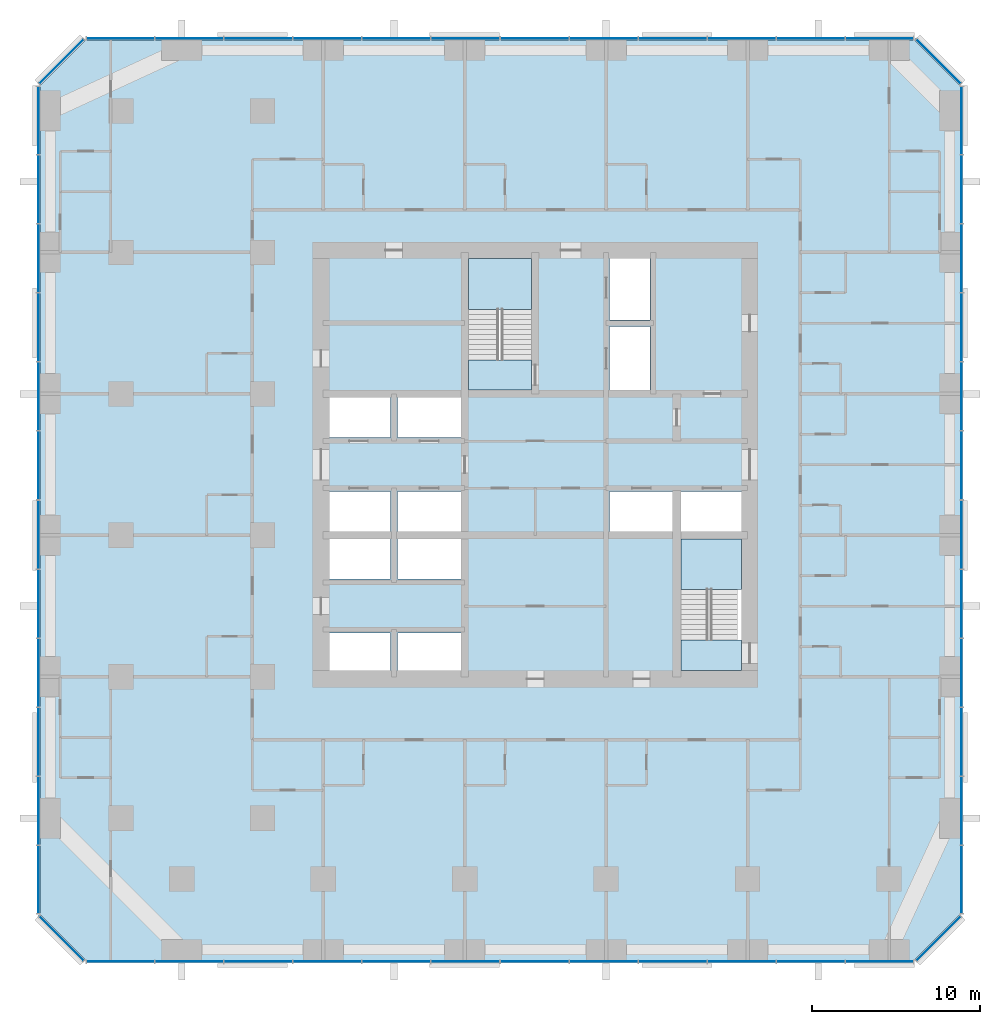
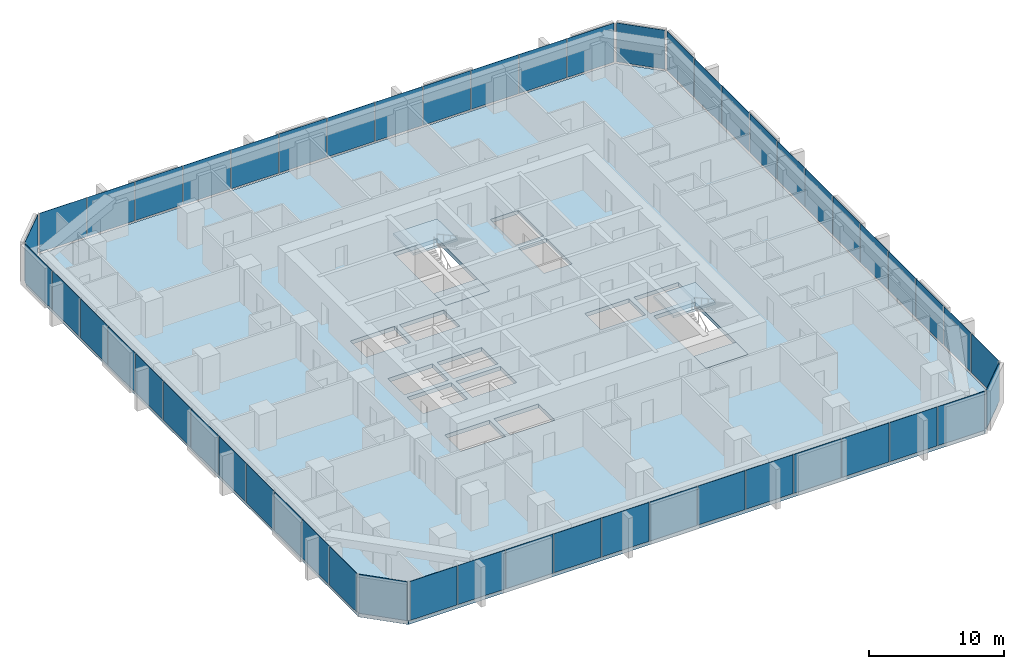
# One storey, part 7 of 13: 52 plates, 5 slabs, 10 elements without a shape of their own.
"""IFC4 building model written with IfcOpenShell, lengths in metres."""

from ifc_helpers import new_model, si_unit, direction, frame, origin, origin_2d, place, context, subcontext, project, spatial, polyline, rectangle, outline, extrude, material, layer, layer_set, type_object, element, aggregate, save


model = new_model("IFC4")

# Units and contexts
model_context = context("Model", 3, precision=1e-05, world=origin(), true_north=direction((0.0, 1.0)))
body_context = subcontext(model_context, "Body", "Model", "MODEL_VIEW")
ifc_project = project(units=[si_unit("LENGTHUNIT", "METRE"), si_unit("AREAUNIT", "SQUARE_METRE"), si_unit("VOLUMEUNIT", "CUBIC_METRE"), si_unit("PLANEANGLEUNIT", "RADIAN"), si_unit("MASSUNIT", "GRAM", prefix="KILO")], contexts=[model_context])

# Site, building, storey
site_placement = place(None, origin())
site = spatial("IfcSite", under=ifc_project, at=site_placement, CompositionType="ELEMENT")
building_placement = place(site_placement, origin())
building = spatial("IfcBuilding", under=site, at=building_placement, Name="Dunama Terrace Hotel", CompositionType="ELEMENT")
storey_placement = place(building_placement, frame((0.0, 0.0, 118.800048828125)))
storey = spatial("IfcBuildingStorey", under=building, at=storey_placement, Name="L30", CompositionType="ELEMENT", Elevation=118.800048828125)

# Curtain wall, plates
ifc_material_1 = material(Name="Aluminium curtain wall system", Category="aluminium")
curtain_wall_type = type_object("IfcCurtainWallType", Name="Unitised fritted glass wall CW-B", PredefinedType="NOTDEFINED", material=ifc_material_1)
curtain_wall_1_placement = place(storey_placement, origin())
curtain_wall_1 = element("IfcCurtainWall", 1, at=curtain_wall_1_placement, inside=storey, type_object=curtain_wall_type, Name="Unitised fritted glass wall CW-B L30", PredefinedType="NOTDEFINED")
ifc_material_2 = material(Name="Laminated glass", Category="glass")
ifc_layer_1 = layer(ifc_material_2, 0.030029296875)
ifc_layer_set_1 = layer_set([ifc_layer_1], Name="CWB clear glass panel")
plate_type_1 = type_object("IfcPlateType", Name="CWB clear glass panel", PredefinedType="CURTAIN_PANEL", material=ifc_layer_set_1)
plate_1_placement = place(storey_placement, frame((4.76611328125, -0.110107421875, 0.079833984375), z_axis=(0.0, 0.0, 1.0), x_axis=(1.0, 0.0, 0.0)))
plate_1 = element("IfcPlate", 2, at=plate_1_placement, type_object=plate_type_1, Name="CWB clear glass panel", PredefinedType="CURTAIN_PANEL", context=body_context, shape_type="SweptSolid", body=[
    extrude(rectangle(XDim=4.00244140625, YDim=0.030029296875, at=origin_2d()), origin(), (0.0, 0.0, 1.0), 3.52001953125),
])
plate_2_placement = place(storey_placement, frame((17.050048828125, -0.110107421875, 0.079833984375), z_axis=(0.0, 0.0, 1.0), x_axis=(1.0, 0.0, 0.0)))
plate_2 = element("IfcPlate", 3, at=plate_2_placement, type_object=plate_type_1, Name="CWB clear glass panel", PredefinedType="CURTAIN_PANEL", context=body_context, shape_type="SweptSolid", body=[
    extrude(rectangle(XDim=4.034912109375, YDim=0.030029296875, at=origin_2d()), origin(), (0.0, 0.0, 1.0), 3.52001953125),
])
plate_3_placement = place(storey_placement, frame((29.35009765625, -0.110107421875, 0.079833984375), z_axis=(0.0, 0.0, 1.0), x_axis=(1.0, 0.0, 0.0)))
plate_3 = element("IfcPlate", 4, at=plate_3_placement, type_object=plate_type_1, Name="CWB clear glass panel", PredefinedType="CURTAIN_PANEL", context=body_context, shape_type="SweptSolid", body=[
    extrude(rectangle(XDim=4.034912109375, YDim=0.030029296875, at=origin_2d()), origin(), (0.0, 0.0, 1.0), 3.52001953125),
])
plate_4_placement = place(storey_placement, frame((41.64990234375, -0.110107421875, 0.079833984375), z_axis=(0.0, 0.0, 1.0), x_axis=(1.0, 0.0, 0.0)))
plate_4 = element("IfcPlate", 5, at=plate_4_placement, type_object=plate_type_1, Name="CWB clear glass panel", PredefinedType="CURTAIN_PANEL", context=body_context, shape_type="SweptSolid", body=[
    extrude(rectangle(XDim=4.034912109375, YDim=0.030029296875, at=origin_2d()), origin(), (0.0, 0.0, 1.0), 3.52001953125),
])

# Curtain wall, plate
curtain_wall_2_placement = place(storey_placement, origin())
curtain_wall_2 = element("IfcCurtainWall", 6, at=curtain_wall_2_placement, inside=storey, type_object=curtain_wall_type, Name="Unitised fritted glass wall CW-B L30", PredefinedType="NOTDEFINED")
plate_5_placement = place(storey_placement, frame((53.327880859375, 1.27197265625, 0.079833984375), z_axis=(0.0, 0.0, 1.0), x_axis=(0.707106781187, 0.707106781187, 0.0)))
plate_5 = element("IfcPlate", 7, at=plate_5_placement, type_object=plate_type_1, Name="CWB clear glass panel", PredefinedType="CURTAIN_PANEL", context=body_context, shape_type="SweptSolid", body=[
    extrude(rectangle(XDim=3.6884765625, YDim=0.030029296875, at=origin_2d()), origin(), (0.0, 0.0, 1.0), 3.52001953125),
])
aggregate(curtain_wall_2, [plate_5])

# Curtain wall, plates
curtain_wall_3_placement = place(storey_placement, origin())
curtain_wall_3 = element("IfcCurtainWall", 8, at=curtain_wall_3_placement, inside=storey, type_object=curtain_wall_type, Name="Unitised fritted glass wall CW-B L30", PredefinedType="NOTDEFINED")
plate_6_placement = place(storey_placement, frame((54.7099609375, 12.949951171875, 0.079833984375), z_axis=(0.0, 0.0, 1.0), x_axis=(0.0, 1.0, 0.0)))
plate_6 = element("IfcPlate", 9, at=plate_6_placement, type_object=plate_type_1, Name="CWB clear glass panel", PredefinedType="CURTAIN_PANEL", context=body_context, shape_type="SweptSolid", body=[
    extrude(rectangle(XDim=4.034912109375, YDim=0.030029296875, at=origin_2d()), origin(), (0.0, 0.0, 1.0), 3.52001953125),
])
plate_7_placement = place(storey_placement, frame((54.7099609375, 25.25, 0.079833984375), z_axis=(0.0, 0.0, 1.0), x_axis=(0.0, 1.0, 0.0)))
plate_7 = element("IfcPlate", 10, at=plate_7_placement, type_object=plate_type_1, Name="CWB clear glass panel", PredefinedType="CURTAIN_PANEL", context=body_context, shape_type="SweptSolid", body=[
    extrude(rectangle(XDim=4.034912109375, YDim=0.030029296875, at=origin_2d()), origin(), (0.0, 0.0, 1.0), 3.52001953125),
])
plate_8_placement = place(storey_placement, frame((54.7099609375, 37.550048828125, 0.079833984375), z_axis=(0.0, 0.0, 1.0), x_axis=(0.0, 1.0, 0.0)))
plate_8 = element("IfcPlate", 11, at=plate_8_placement, type_object=plate_type_1, Name="CWB clear glass panel", PredefinedType="CURTAIN_PANEL", context=body_context, shape_type="SweptSolid", body=[
    extrude(rectangle(XDim=4.034912109375, YDim=0.030029296875, at=origin_2d()), origin(), (0.0, 0.0, 1.0), 3.52001953125),
])
plate_9_placement = place(storey_placement, frame((54.7099609375, 49.833984375, 0.079833984375), z_axis=(0.0, 0.0, 1.0), x_axis=(0.0, 1.0, 0.0)))
plate_9 = element("IfcPlate", 12, at=plate_9_placement, type_object=plate_type_1, Name="CWB clear glass panel", PredefinedType="CURTAIN_PANEL", context=body_context, shape_type="SweptSolid", body=[
    extrude(rectangle(XDim=4.00244140625, YDim=0.030029296875, at=origin_2d()), origin(), (0.0, 0.0, 1.0), 3.52001953125),
])

curtain_wall_4_placement = place(storey_placement, origin())
curtain_wall_4 = element("IfcCurtainWall", 13, at=curtain_wall_4_placement, inside=storey, type_object=curtain_wall_type, Name="Unitised fritted glass wall CW-B L30", PredefinedType="NOTDEFINED")
plate_10_placement = place(storey_placement, frame((45.75, 54.7099609375, 0.079833984375), z_axis=(0.0, 0.0, 1.0), x_axis=(-1.0, 0.0, 0.0)))
plate_10 = element("IfcPlate", 14, at=plate_10_placement, type_object=plate_type_1, Name="CWB clear glass panel", PredefinedType="CURTAIN_PANEL", context=body_context, shape_type="SweptSolid", body=[
    extrude(rectangle(XDim=4.034912109375, YDim=0.030029296875, at=origin_2d()), origin(), (0.0, 0.0, 1.0), 3.52001953125),
])
plate_11_placement = place(storey_placement, frame((33.449951171875, 54.7099609375, 0.079833984375), z_axis=(0.0, 0.0, 1.0), x_axis=(-1.0, 0.0, 0.0)))
plate_11 = element("IfcPlate", 15, at=plate_11_placement, type_object=plate_type_1, Name="CWB clear glass panel", PredefinedType="CURTAIN_PANEL", context=body_context, shape_type="SweptSolid", body=[
    extrude(rectangle(XDim=4.034912109375, YDim=0.030029296875, at=origin_2d()), origin(), (0.0, 0.0, 1.0), 3.52001953125),
])
plate_12_placement = place(storey_placement, frame((21.14990234375, 54.7099609375, 0.079833984375), z_axis=(0.0, 0.0, 1.0), x_axis=(-1.0, 0.0, 0.0)))
plate_12 = element("IfcPlate", 16, at=plate_12_placement, type_object=plate_type_1, Name="CWB clear glass panel", PredefinedType="CURTAIN_PANEL", context=body_context, shape_type="SweptSolid", body=[
    extrude(rectangle(XDim=4.034912109375, YDim=0.030029296875, at=origin_2d()), origin(), (0.0, 0.0, 1.0), 3.52001953125),
])
plate_13_placement = place(storey_placement, frame((8.85009765625, 54.7099609375, 0.079833984375), z_axis=(0.0, 0.0, 1.0), x_axis=(-1.0, 0.0, 0.0)))
plate_13 = element("IfcPlate", 17, at=plate_13_placement, type_object=plate_type_1, Name="CWB clear glass panel", PredefinedType="CURTAIN_PANEL", context=body_context, shape_type="SweptSolid", body=[
    extrude(rectangle(XDim=4.034912109375, YDim=0.030029296875, at=origin_2d()), origin(), (0.0, 0.0, 1.0), 3.52001953125),
])

curtain_wall_5_placement = place(storey_placement, origin())
curtain_wall_5 = element("IfcCurtainWall", 18, at=curtain_wall_5_placement, inside=storey, type_object=curtain_wall_type, Name="Unitised fritted glass wall CW-B L30", PredefinedType="NOTDEFINED")
plate_14_placement = place(storey_placement, frame((-0.110107421875, 49.833984375, 0.079833984375), z_axis=(0.0, 0.0, 1.0), x_axis=(0.0, -1.0, 0.0)))
plate_14 = element("IfcPlate", 19, at=plate_14_placement, type_object=plate_type_1, Name="CWB clear glass panel", PredefinedType="CURTAIN_PANEL", context=body_context, shape_type="SweptSolid", body=[
    extrude(rectangle(XDim=4.00244140625, YDim=0.030029296875, at=origin_2d()), origin(), (0.0, 0.0, 1.0), 3.52001953125),
])
plate_15_placement = place(storey_placement, frame((-0.110107421875, 37.550048828125, 0.079833984375), z_axis=(0.0, 0.0, 1.0), x_axis=(0.0, -1.0, 0.0)))
plate_15 = element("IfcPlate", 20, at=plate_15_placement, type_object=plate_type_1, Name="CWB clear glass panel", PredefinedType="CURTAIN_PANEL", context=body_context, shape_type="SweptSolid", body=[
    extrude(rectangle(XDim=4.034912109375, YDim=0.030029296875, at=origin_2d()), origin(), (0.0, 0.0, 1.0), 3.52001953125),
])
plate_16_placement = place(storey_placement, frame((-0.110107421875, 25.25, 0.079833984375), z_axis=(0.0, 0.0, 1.0), x_axis=(0.0, -1.0, 0.0)))
plate_16 = element("IfcPlate", 21, at=plate_16_placement, type_object=plate_type_1, Name="CWB clear glass panel", PredefinedType="CURTAIN_PANEL", context=body_context, shape_type="SweptSolid", body=[
    extrude(rectangle(XDim=4.034912109375, YDim=0.030029296875, at=origin_2d()), origin(), (0.0, 0.0, 1.0), 3.52001953125),
])
plate_17_placement = place(storey_placement, frame((-0.110107421875, 12.949951171875, 0.079833984375), z_axis=(0.0, 0.0, 1.0), x_axis=(0.0, -1.0, 0.0)))
plate_17 = element("IfcPlate", 22, at=plate_17_placement, type_object=plate_type_1, Name="CWB clear glass panel", PredefinedType="CURTAIN_PANEL", context=body_context, shape_type="SweptSolid", body=[
    extrude(rectangle(XDim=4.034912109375, YDim=0.030029296875, at=origin_2d()), origin(), (0.0, 0.0, 1.0), 3.52001953125),
])

# Curtain wall, plate
curtain_wall_6_placement = place(storey_placement, origin())
curtain_wall_6 = element("IfcCurtainWall", 23, at=curtain_wall_6_placement, inside=storey, type_object=curtain_wall_type, Name="Unitised fritted glass wall CW-B L30", PredefinedType="NOTDEFINED")
plate_18_placement = place(storey_placement, frame((1.27197265625, 1.27197265625, 0.079833984375), z_axis=(0.0, 0.0, 1.0), x_axis=(0.707106781187, -0.707106781187, 0.0)))
plate_18 = element("IfcPlate", 24, at=plate_18_placement, type_object=plate_type_1, Name="CWB clear glass panel", PredefinedType="CURTAIN_PANEL", context=body_context, shape_type="SweptSolid", body=[
    extrude(rectangle(XDim=3.6884765625, YDim=0.030029296875, at=origin_2d()), origin(), (0.0, 0.0, 1.0), 3.52001953125),
])
aggregate(curtain_wall_6, [plate_18])

# Plate
ifc_material_3 = material(Name="Fritted laminated glass", Category="glass")
ifc_layer_2 = layer(ifc_material_3, 0.030029296875)
ifc_layer_set_2 = layer_set([ifc_layer_2], Name="CWB fritted glass panel")
plate_type_2 = type_object("IfcPlateType", Name="CWB fritted glass panel", PredefinedType="CURTAIN_PANEL", material=ifc_layer_set_2)
plate_19_placement = place(storey_placement, frame((12.949951171875, -0.110107421875, 0.079833984375), z_axis=(0.0, 0.0, 1.0), x_axis=(1.0, 0.0, 0.0)))
plate_19 = element("IfcPlate", 25, at=plate_19_placement, type_object=plate_type_2, Name="CWB fritted glass panel", PredefinedType="CURTAIN_PANEL", context=body_context, shape_type="SweptSolid", body=[
    extrude(rectangle(XDim=4.034912109375, YDim=0.030029296875, at=origin_2d()), origin(), (0.0, 0.0, 1.0), 3.52001953125),
])

plate_20_placement = place(storey_placement, frame((25.25, -0.110107421875, 0.079833984375), z_axis=(0.0, 0.0, 1.0), x_axis=(1.0, 0.0, 0.0)))
plate_20 = element("IfcPlate", 26, at=plate_20_placement, type_object=plate_type_2, Name="CWB fritted glass panel", PredefinedType="CURTAIN_PANEL", context=body_context, shape_type="SweptSolid", body=[
    extrude(rectangle(XDim=4.034912109375, YDim=0.030029296875, at=origin_2d()), origin(), (0.0, 0.0, 1.0), 3.52001953125),
])

plate_21_placement = place(storey_placement, frame((37.550048828125, -0.110107421875, 0.079833984375), z_axis=(0.0, 0.0, 1.0), x_axis=(1.0, 0.0, 0.0)))
plate_21 = element("IfcPlate", 27, at=plate_21_placement, type_object=plate_type_2, Name="CWB fritted glass panel", PredefinedType="CURTAIN_PANEL", context=body_context, shape_type="SweptSolid", body=[
    extrude(rectangle(XDim=4.034912109375, YDim=0.030029296875, at=origin_2d()), origin(), (0.0, 0.0, 1.0), 3.52001953125),
])

plate_22_placement = place(storey_placement, frame((49.833984375, -0.110107421875, 0.079833984375), z_axis=(0.0, 0.0, 1.0), x_axis=(1.0, 0.0, 0.0)))
plate_22 = element("IfcPlate", 28, at=plate_22_placement, type_object=plate_type_2, Name="CWB fritted glass panel", PredefinedType="CURTAIN_PANEL", context=body_context, shape_type="SweptSolid", body=[
    extrude(rectangle(XDim=4.00244140625, YDim=0.030029296875, at=origin_2d()), origin(), (0.0, 0.0, 1.0), 3.52001953125),
])

plate_23_placement = place(storey_placement, frame((54.7099609375, 8.85009765625, 0.079833984375), z_axis=(0.0, 0.0, 1.0), x_axis=(0.0, 1.0, 0.0)))
plate_23 = element("IfcPlate", 29, at=plate_23_placement, type_object=plate_type_2, Name="CWB fritted glass panel", PredefinedType="CURTAIN_PANEL", context=body_context, shape_type="SweptSolid", body=[
    extrude(rectangle(XDim=4.034912109375, YDim=0.030029296875, at=origin_2d()), origin(), (0.0, 0.0, 1.0), 3.52001953125),
])

plate_24_placement = place(storey_placement, frame((54.7099609375, 21.14990234375, 0.079833984375), z_axis=(0.0, 0.0, 1.0), x_axis=(0.0, 1.0, 0.0)))
plate_24 = element("IfcPlate", 30, at=plate_24_placement, type_object=plate_type_2, Name="CWB fritted glass panel", PredefinedType="CURTAIN_PANEL", context=body_context, shape_type="SweptSolid", body=[
    extrude(rectangle(XDim=4.034912109375, YDim=0.030029296875, at=origin_2d()), origin(), (0.0, 0.0, 1.0), 3.52001953125),
])

plate_25_placement = place(storey_placement, frame((54.7099609375, 33.449951171875, 0.079833984375), z_axis=(0.0, 0.0, 1.0), x_axis=(0.0, 1.0, 0.0)))
plate_25 = element("IfcPlate", 31, at=plate_25_placement, type_object=plate_type_2, Name="CWB fritted glass panel", PredefinedType="CURTAIN_PANEL", context=body_context, shape_type="SweptSolid", body=[
    extrude(rectangle(XDim=4.034912109375, YDim=0.030029296875, at=origin_2d()), origin(), (0.0, 0.0, 1.0), 3.52001953125),
])

plate_26_placement = place(storey_placement, frame((54.7099609375, 45.75, 0.079833984375), z_axis=(0.0, 0.0, 1.0), x_axis=(0.0, 1.0, 0.0)))
plate_26 = element("IfcPlate", 32, at=plate_26_placement, type_object=plate_type_2, Name="CWB fritted glass panel", PredefinedType="CURTAIN_PANEL", context=body_context, shape_type="SweptSolid", body=[
    extrude(rectangle(XDim=4.034912109375, YDim=0.030029296875, at=origin_2d()), origin(), (0.0, 0.0, 1.0), 3.52001953125),
])

plate_27_placement = place(storey_placement, frame((49.833984375, 54.7099609375, 0.079833984375), z_axis=(0.0, 0.0, 1.0), x_axis=(-1.0, 0.0, 0.0)))
plate_27 = element("IfcPlate", 33, at=plate_27_placement, type_object=plate_type_2, Name="CWB fritted glass panel", PredefinedType="CURTAIN_PANEL", context=body_context, shape_type="SweptSolid", body=[
    extrude(rectangle(XDim=4.00244140625, YDim=0.030029296875, at=origin_2d()), origin(), (0.0, 0.0, 1.0), 3.52001953125),
])

plate_28_placement = place(storey_placement, frame((37.550048828125, 54.7099609375, 0.079833984375), z_axis=(0.0, 0.0, 1.0), x_axis=(-1.0, 0.0, 0.0)))
plate_28 = element("IfcPlate", 34, at=plate_28_placement, type_object=plate_type_2, Name="CWB fritted glass panel", PredefinedType="CURTAIN_PANEL", context=body_context, shape_type="SweptSolid", body=[
    extrude(rectangle(XDim=4.034912109375, YDim=0.030029296875, at=origin_2d()), origin(), (0.0, 0.0, 1.0), 3.52001953125),
])

plate_29_placement = place(storey_placement, frame((25.25, 54.7099609375, 0.079833984375), z_axis=(0.0, 0.0, 1.0), x_axis=(-1.0, 0.0, 0.0)))
plate_29 = element("IfcPlate", 35, at=plate_29_placement, type_object=plate_type_2, Name="CWB fritted glass panel", PredefinedType="CURTAIN_PANEL", context=body_context, shape_type="SweptSolid", body=[
    extrude(rectangle(XDim=4.034912109375, YDim=0.030029296875, at=origin_2d()), origin(), (0.0, 0.0, 1.0), 3.52001953125),
])

plate_30_placement = place(storey_placement, frame((12.949951171875, 54.7099609375, 0.079833984375), z_axis=(0.0, 0.0, 1.0), x_axis=(-1.0, 0.0, 0.0)))
plate_30 = element("IfcPlate", 36, at=plate_30_placement, type_object=plate_type_2, Name="CWB fritted glass panel", PredefinedType="CURTAIN_PANEL", context=body_context, shape_type="SweptSolid", body=[
    extrude(rectangle(XDim=4.034912109375, YDim=0.030029296875, at=origin_2d()), origin(), (0.0, 0.0, 1.0), 3.52001953125),
])

# Curtain wall, plate
curtain_wall_7_placement = place(storey_placement, origin())
curtain_wall_7 = element("IfcCurtainWall", 37, at=curtain_wall_7_placement, inside=storey, type_object=curtain_wall_type, Name="Unitised fritted glass wall CW-B L30", PredefinedType="NOTDEFINED")
plate_31_placement = place(storey_placement, frame((1.27197265625, 53.327880859375, 0.079833984375), z_axis=(0.0, 0.0, 1.0), x_axis=(-0.707106781187, -0.707106781187, 0.0)))
plate_31 = element("IfcPlate", 38, at=plate_31_placement, type_object=plate_type_2, Name="CWB fritted glass panel", PredefinedType="CURTAIN_PANEL", context=body_context, shape_type="SweptSolid", body=[
    extrude(rectangle(XDim=3.6884765625, YDim=0.030029296875, at=origin_2d()), origin(), (0.0, 0.0, 1.0), 3.52001953125),
])
aggregate(curtain_wall_7, [plate_31])

# Plate
plate_32_placement = place(storey_placement, frame((-0.110107421875, 41.64990234375, 0.079833984375), z_axis=(0.0, 0.0, 1.0), x_axis=(0.0, -1.0, 0.0)))
plate_32 = element("IfcPlate", 39, at=plate_32_placement, type_object=plate_type_2, Name="CWB fritted glass panel", PredefinedType="CURTAIN_PANEL", context=body_context, shape_type="SweptSolid", body=[
    extrude(rectangle(XDim=4.034912109375, YDim=0.030029296875, at=origin_2d()), origin(), (0.0, 0.0, 1.0), 3.52001953125),
])

plate_33_placement = place(storey_placement, frame((-0.110107421875, 29.35009765625, 0.079833984375), z_axis=(0.0, 0.0, 1.0), x_axis=(0.0, -1.0, 0.0)))
plate_33 = element("IfcPlate", 40, at=plate_33_placement, type_object=plate_type_2, Name="CWB fritted glass panel", PredefinedType="CURTAIN_PANEL", context=body_context, shape_type="SweptSolid", body=[
    extrude(rectangle(XDim=4.034912109375, YDim=0.030029296875, at=origin_2d()), origin(), (0.0, 0.0, 1.0), 3.52001953125),
])

plate_34_placement = place(storey_placement, frame((-0.110107421875, 17.050048828125, 0.079833984375), z_axis=(0.0, 0.0, 1.0), x_axis=(0.0, -1.0, 0.0)))
plate_34 = element("IfcPlate", 41, at=plate_34_placement, type_object=plate_type_2, Name="CWB fritted glass panel", PredefinedType="CURTAIN_PANEL", context=body_context, shape_type="SweptSolid", body=[
    extrude(rectangle(XDim=4.034912109375, YDim=0.030029296875, at=origin_2d()), origin(), (0.0, 0.0, 1.0), 3.52001953125),
])

plate_35_placement = place(storey_placement, frame((-0.110107421875, 4.76611328125, 0.079833984375), z_axis=(0.0, 0.0, 1.0), x_axis=(0.0, -1.0, 0.0)))
plate_35 = element("IfcPlate", 42, at=plate_35_placement, type_object=plate_type_2, Name="CWB fritted glass panel", PredefinedType="CURTAIN_PANEL", context=body_context, shape_type="SweptSolid", body=[
    extrude(rectangle(XDim=4.00244140625, YDim=0.030029296875, at=origin_2d()), origin(), (0.0, 0.0, 1.0), 3.52001953125),
])

ifc_material_4 = material(Name="Laminated glass", Category="glass")
ifc_layer_3 = layer(ifc_material_4, 0.030029296875)
ifc_layer_set_3 = layer_set([ifc_layer_3], Name="CWB operable glass panel")
plate_type_3 = type_object("IfcPlateType", Name="CWB operable glass panel", PredefinedType="CURTAIN_PANEL", material=ifc_layer_set_3)
plate_36_placement = place(storey_placement, frame((8.85009765625, -0.110107421875, 0.079833984375), z_axis=(0.0, 0.0, 1.0), x_axis=(1.0, 0.0, 0.0)))
plate_36 = element("IfcPlate", 43, at=plate_36_placement, type_object=plate_type_3, Name="CWB operable glass panel", PredefinedType="CURTAIN_PANEL", context=body_context, shape_type="SweptSolid", body=[
    extrude(rectangle(XDim=4.034912109375, YDim=0.030029296875, at=origin_2d()), origin(), (0.0, 0.0, 1.0), 3.52001953125),
])

plate_37_placement = place(storey_placement, frame((21.14990234375, -0.110107421875, 0.079833984375), z_axis=(0.0, 0.0, 1.0), x_axis=(1.0, 0.0, 0.0)))
plate_37 = element("IfcPlate", 44, at=plate_37_placement, type_object=plate_type_3, Name="CWB operable glass panel", PredefinedType="CURTAIN_PANEL", context=body_context, shape_type="SweptSolid", body=[
    extrude(rectangle(XDim=4.034912109375, YDim=0.030029296875, at=origin_2d()), origin(), (0.0, 0.0, 1.0), 3.52001953125),
])

plate_38_placement = place(storey_placement, frame((33.449951171875, -0.110107421875, 0.079833984375), z_axis=(0.0, 0.0, 1.0), x_axis=(1.0, 0.0, 0.0)))
plate_38 = element("IfcPlate", 45, at=plate_38_placement, type_object=plate_type_3, Name="CWB operable glass panel", PredefinedType="CURTAIN_PANEL", context=body_context, shape_type="SweptSolid", body=[
    extrude(rectangle(XDim=4.034912109375, YDim=0.030029296875, at=origin_2d()), origin(), (0.0, 0.0, 1.0), 3.52001953125),
])

plate_39_placement = place(storey_placement, frame((45.75, -0.110107421875, 0.079833984375), z_axis=(0.0, 0.0, 1.0), x_axis=(1.0, 0.0, 0.0)))
plate_39 = element("IfcPlate", 46, at=plate_39_placement, type_object=plate_type_3, Name="CWB operable glass panel", PredefinedType="CURTAIN_PANEL", context=body_context, shape_type="SweptSolid", body=[
    extrude(rectangle(XDim=4.034912109375, YDim=0.030029296875, at=origin_2d()), origin(), (0.0, 0.0, 1.0), 3.52001953125),
])

aggregate(curtain_wall_1, [plate_1, plate_36, plate_19, plate_2, plate_37, plate_20, plate_3, plate_38, plate_21, plate_4, plate_39, plate_22])

plate_40_placement = place(storey_placement, frame((54.7099609375, 4.76611328125, 0.079833984375), z_axis=(0.0, 0.0, 1.0), x_axis=(0.0, 1.0, 0.0)))
plate_40 = element("IfcPlate", 47, at=plate_40_placement, type_object=plate_type_3, Name="CWB operable glass panel", PredefinedType="CURTAIN_PANEL", context=body_context, shape_type="SweptSolid", body=[
    extrude(rectangle(XDim=4.00244140625, YDim=0.030029296875, at=origin_2d()), origin(), (0.0, 0.0, 1.0), 3.52001953125),
])

plate_41_placement = place(storey_placement, frame((54.7099609375, 17.050048828125, 0.079833984375), z_axis=(0.0, 0.0, 1.0), x_axis=(0.0, 1.0, 0.0)))
plate_41 = element("IfcPlate", 48, at=plate_41_placement, type_object=plate_type_3, Name="CWB operable glass panel", PredefinedType="CURTAIN_PANEL", context=body_context, shape_type="SweptSolid", body=[
    extrude(rectangle(XDim=4.034912109375, YDim=0.030029296875, at=origin_2d()), origin(), (0.0, 0.0, 1.0), 3.52001953125),
])

plate_42_placement = place(storey_placement, frame((54.7099609375, 29.35009765625, 0.079833984375), z_axis=(0.0, 0.0, 1.0), x_axis=(0.0, 1.0, 0.0)))
plate_42 = element("IfcPlate", 49, at=plate_42_placement, type_object=plate_type_3, Name="CWB operable glass panel", PredefinedType="CURTAIN_PANEL", context=body_context, shape_type="SweptSolid", body=[
    extrude(rectangle(XDim=4.034912109375, YDim=0.030029296875, at=origin_2d()), origin(), (0.0, 0.0, 1.0), 3.52001953125),
])

plate_43_placement = place(storey_placement, frame((54.7099609375, 41.64990234375, 0.079833984375), z_axis=(0.0, 0.0, 1.0), x_axis=(0.0, 1.0, 0.0)))
plate_43 = element("IfcPlate", 50, at=plate_43_placement, type_object=plate_type_3, Name="CWB operable glass panel", PredefinedType="CURTAIN_PANEL", context=body_context, shape_type="SweptSolid", body=[
    extrude(rectangle(XDim=4.034912109375, YDim=0.030029296875, at=origin_2d()), origin(), (0.0, 0.0, 1.0), 3.52001953125),
])

aggregate(curtain_wall_3, [plate_40, plate_23, plate_6, plate_41, plate_24, plate_7, plate_42, plate_25, plate_8, plate_43, plate_26, plate_9])

# Curtain wall, plate
curtain_wall_8_placement = place(storey_placement, origin())
curtain_wall_8 = element("IfcCurtainWall", 51, at=curtain_wall_8_placement, inside=storey, type_object=curtain_wall_type, Name="Unitised fritted glass wall CW-B L30", PredefinedType="NOTDEFINED")
plate_44_placement = place(storey_placement, frame((53.327880859375, 53.327880859375, 0.079833984375), z_axis=(0.0, 0.0, 1.0), x_axis=(-0.707106781187, 0.707106781187, 0.0)))
plate_44 = element("IfcPlate", 52, at=plate_44_placement, type_object=plate_type_3, Name="CWB operable glass panel", PredefinedType="CURTAIN_PANEL", context=body_context, shape_type="SweptSolid", body=[
    extrude(rectangle(XDim=3.6884765625, YDim=0.030029296875, at=origin_2d()), origin(), (0.0, 0.0, 1.0), 3.52001953125),
])
aggregate(curtain_wall_8, [plate_44])

# Plate
plate_45_placement = place(storey_placement, frame((41.64990234375, 54.7099609375, 0.079833984375), z_axis=(0.0, 0.0, 1.0), x_axis=(-1.0, 0.0, 0.0)))
plate_45 = element("IfcPlate", 53, at=plate_45_placement, type_object=plate_type_3, Name="CWB operable glass panel", PredefinedType="CURTAIN_PANEL", context=body_context, shape_type="SweptSolid", body=[
    extrude(rectangle(XDim=4.034912109375, YDim=0.030029296875, at=origin_2d()), origin(), (0.0, 0.0, 1.0), 3.52001953125),
])

plate_46_placement = place(storey_placement, frame((29.35009765625, 54.7099609375, 0.079833984375), z_axis=(0.0, 0.0, 1.0), x_axis=(-1.0, 0.0, 0.0)))
plate_46 = element("IfcPlate", 54, at=plate_46_placement, type_object=plate_type_3, Name="CWB operable glass panel", PredefinedType="CURTAIN_PANEL", context=body_context, shape_type="SweptSolid", body=[
    extrude(rectangle(XDim=4.034912109375, YDim=0.030029296875, at=origin_2d()), origin(), (0.0, 0.0, 1.0), 3.52001953125),
])

plate_47_placement = place(storey_placement, frame((17.050048828125, 54.7099609375, 0.079833984375), z_axis=(0.0, 0.0, 1.0), x_axis=(-1.0, 0.0, 0.0)))
plate_47 = element("IfcPlate", 55, at=plate_47_placement, type_object=plate_type_3, Name="CWB operable glass panel", PredefinedType="CURTAIN_PANEL", context=body_context, shape_type="SweptSolid", body=[
    extrude(rectangle(XDim=4.034912109375, YDim=0.030029296875, at=origin_2d()), origin(), (0.0, 0.0, 1.0), 3.52001953125),
])

plate_48_placement = place(storey_placement, frame((4.76611328125, 54.7099609375, 0.079833984375), z_axis=(0.0, 0.0, 1.0), x_axis=(-1.0, 0.0, 0.0)))
plate_48 = element("IfcPlate", 56, at=plate_48_placement, type_object=plate_type_3, Name="CWB operable glass panel", PredefinedType="CURTAIN_PANEL", context=body_context, shape_type="SweptSolid", body=[
    extrude(rectangle(XDim=4.00244140625, YDim=0.030029296875, at=origin_2d()), origin(), (0.0, 0.0, 1.0), 3.52001953125),
])

aggregate(curtain_wall_4, [plate_27, plate_10, plate_45, plate_28, plate_11, plate_46, plate_29, plate_12, plate_47, plate_30, plate_13, plate_48])

plate_49_placement = place(storey_placement, frame((-0.110107421875, 45.75, 0.079833984375), z_axis=(0.0, 0.0, 1.0), x_axis=(0.0, -1.0, 0.0)))
plate_49 = element("IfcPlate", 57, at=plate_49_placement, type_object=plate_type_3, Name="CWB operable glass panel", PredefinedType="CURTAIN_PANEL", context=body_context, shape_type="SweptSolid", body=[
    extrude(rectangle(XDim=4.034912109375, YDim=0.030029296875, at=origin_2d()), origin(), (0.0, 0.0, 1.0), 3.52001953125),
])

plate_50_placement = place(storey_placement, frame((-0.110107421875, 33.449951171875, 0.079833984375), z_axis=(0.0, 0.0, 1.0), x_axis=(0.0, -1.0, 0.0)))
plate_50 = element("IfcPlate", 58, at=plate_50_placement, type_object=plate_type_3, Name="CWB operable glass panel", PredefinedType="CURTAIN_PANEL", context=body_context, shape_type="SweptSolid", body=[
    extrude(rectangle(XDim=4.034912109375, YDim=0.030029296875, at=origin_2d()), origin(), (0.0, 0.0, 1.0), 3.52001953125),
])

plate_51_placement = place(storey_placement, frame((-0.110107421875, 21.14990234375, 0.079833984375), z_axis=(0.0, 0.0, 1.0), x_axis=(0.0, -1.0, 0.0)))
plate_51 = element("IfcPlate", 59, at=plate_51_placement, type_object=plate_type_3, Name="CWB operable glass panel", PredefinedType="CURTAIN_PANEL", context=body_context, shape_type="SweptSolid", body=[
    extrude(rectangle(XDim=4.034912109375, YDim=0.030029296875, at=origin_2d()), origin(), (0.0, 0.0, 1.0), 3.52001953125),
])

plate_52_placement = place(storey_placement, frame((-0.110107421875, 8.85009765625, 0.079833984375), z_axis=(0.0, 0.0, 1.0), x_axis=(0.0, -1.0, 0.0)))
plate_52 = element("IfcPlate", 60, at=plate_52_placement, type_object=plate_type_3, Name="CWB operable glass panel", PredefinedType="CURTAIN_PANEL", context=body_context, shape_type="SweptSolid", body=[
    extrude(rectangle(XDim=4.034912109375, YDim=0.030029296875, at=origin_2d()), origin(), (0.0, 0.0, 1.0), 3.52001953125),
])

aggregate(curtain_wall_5, [plate_14, plate_49, plate_32, plate_15, plate_50, plate_33, plate_16, plate_51, plate_34, plate_17, plate_52, plate_35])

# Slab
ifc_material_5 = material(Name="Concrete C40/50", Category="concrete")
ifc_layer_4 = layer(ifc_material_5, 0.35009765625)
ifc_layer_set_4 = layer_set([ifc_layer_4], Name="Flat plate 350")
slab_type_1 = type_object("IfcSlabType", Name="Flat plate 350", PredefinedType="FLOOR", material=ifc_layer_set_4)
slab_1_placement = place(storey_placement, frame((0.0, 0.0, -0.35009765625)))
element("IfcSlab", 61, at=slab_1_placement, inside=storey, type_object=slab_type_1, Name="Floor slab L30", PredefinedType="FLOOR", context=body_context, shape_type="SweptSolid", body=[
    extrude(outline(polyline([(2.699951171875, 0.0), (51.89990234375, 0.0), (54.60009765625, 2.699951171875), (54.60009765625, 51.89990234375), (51.89990234375, 54.60009765625), (2.699951171875, 54.60009765625), (0.0, 51.89990234375), (0.0, 2.699951171875), (2.699951171875, 0.0)]), holes=[polyline([(37.60009765625, 25.39990234375), (37.60009765625, 27.800048828125), (33.800048828125, 27.800048828125), (33.800048828125, 25.39990234375), (37.60009765625, 25.39990234375)]), polyline([(41.800048828125, 25.39990234375), (41.800048828125, 27.800048828125), (38.0, 27.800048828125), (38.0, 25.39990234375), (41.800048828125, 25.39990234375)]), polyline([(20.800048828125, 17.0), (20.800048828125, 19.39990234375), (17.0, 19.39990234375), (17.0, 17.0), (20.800048828125, 17.0)]), polyline([(25.0, 17.0), (25.0, 19.39990234375), (21.199951171875, 19.39990234375), (21.199951171875, 17.0), (25.0, 17.0)]), polyline([(20.800048828125, 22.60009765625), (20.800048828125, 25.0), (17.0, 25.0), (17.0, 22.60009765625), (20.800048828125, 22.60009765625)]), polyline([(25.0, 22.60009765625), (25.0, 25.0), (21.199951171875, 25.0), (21.199951171875, 22.60009765625), (25.0, 22.60009765625)]), polyline([(20.800048828125, 25.39990234375), (20.800048828125, 27.800048828125), (17.0, 27.800048828125), (17.0, 25.39990234375), (20.800048828125, 25.39990234375)]), polyline([(25.0, 25.39990234375), (25.0, 27.800048828125), (21.199951171875, 27.800048828125), (21.199951171875, 25.39990234375), (25.0, 25.39990234375)]), polyline([(20.800048828125, 31.0), (20.800048828125, 33.39990234375), (17.0, 33.39990234375), (17.0, 31.0), (20.800048828125, 31.0)]), polyline([(25.0, 31.0), (25.0, 33.39990234375), (21.199951171875, 33.39990234375), (21.199951171875, 31.0), (25.0, 31.0)]), polyline([(36.199951171875, 38.0), (36.199951171875, 41.800048828125), (33.800048828125, 41.800048828125), (33.800048828125, 38.0), (36.199951171875, 38.0)]), polyline([(36.199951171875, 33.800048828125), (36.199951171875, 37.60009765625), (33.800048828125, 37.60009765625), (33.800048828125, 33.800048828125), (36.199951171875, 33.800048828125)]), polyline([(29.175048828125, 33.824951171875), (29.175048828125, 41.625), (25.425048828125, 41.625), (25.425048828125, 33.824951171875), (29.175048828125, 33.824951171875)]), polyline([(41.625, 17.175048828125), (41.625, 24.97509765625), (38.050048828125, 24.97509765625), (38.050048828125, 17.175048828125), (41.625, 17.175048828125)])]), origin(), (0.0, 0.0, 1.0), 0.35009765625),
])

# Stair, slabs
ifc_material_6 = material(Name="Concrete C40/50", Category="concrete")
stair_type_1 = type_object("IfcStairType", Name="Stair ST1-3600-1800", PredefinedType="HALF_TURN_STAIR", material=ifc_material_6)
stair_1_placement = place(storey_placement, origin())
stair_1 = element("IfcStair", 62, at=stair_1_placement, inside=storey, type_object=stair_type_1, Name="Stair ST1 L30", PredefinedType="HALF_TURN_STAIR")
ifc_material_7 = material(Name="Concrete C40/50", Category="concrete")
ifc_layer_5 = layer(ifc_material_7, 0.199951171875)
ifc_layer_set_5 = layer_set([ifc_layer_5], Name="Stair landing 200")
slab_type_2 = type_object("IfcSlabType", Name="Stair landing 200", PredefinedType="LANDING", material=ifc_layer_set_5)
slab_2_placement = place(storey_placement, frame((0.0, 0.0, -0.199951171875)))
slab_2 = element("IfcSlab", 63, at=slab_2_placement, type_object=slab_type_2, Name="ST1 landing 1, type S10", PredefinedType="LANDING", context=body_context, shape_type="SweptSolid", body=[
    extrude(outline(polyline([(25.425048828125, 33.824951171875), (29.175048828125, 33.824951171875), (29.175048828125, 35.625), (25.425048828125, 35.625), (25.425048828125, 33.824951171875)])), origin(), (0.0, 0.0, 1.0), 0.199951171875),
])
slab_3_placement = place(storey_placement, frame((0.0, 0.0, 1.599853515625)))
slab_3 = element("IfcSlab", 64, at=slab_3_placement, type_object=slab_type_2, Name="ST1 landing 2, type S10", PredefinedType="LANDING", context=body_context, shape_type="SweptSolid", body=[
    extrude(outline(polyline([(25.425048828125, 38.625), (29.175048828125, 38.625), (29.175048828125, 41.625), (25.425048828125, 41.625), (25.425048828125, 38.625)])), origin(), (0.0, 0.0, 1.0), 0.2001953125),
])
aggregate(stair_1, [slab_2, slab_3])

ifc_material_8 = material(Name="Concrete C40/50", Category="concrete")
stair_type_2 = type_object("IfcStairType", Name="Stair ST2-3600-1600", PredefinedType="HALF_TURN_STAIR", material=ifc_material_8)
stair_2_placement = place(storey_placement, origin())
stair_2 = element("IfcStair", 65, at=stair_2_placement, inside=storey, type_object=stair_type_2, Name="Stair ST2 L30", PredefinedType="HALF_TURN_STAIR")
slab_4_placement = place(storey_placement, frame((0.0, 0.0, -0.199951171875)))
slab_4 = element("IfcSlab", 66, at=slab_4_placement, type_object=slab_type_2, Name="ST2 landing 1, type S10", PredefinedType="LANDING", context=body_context, shape_type="SweptSolid", body=[
    extrude(outline(polyline([(38.050048828125, 17.175048828125), (41.625, 17.175048828125), (41.625, 19.0), (38.050048828125, 19.0), (38.050048828125, 17.175048828125)])), origin(), (0.0, 0.0, 1.0), 0.199951171875),
])
slab_5_placement = place(storey_placement, frame((0.0, 0.0, 1.599853515625)))
slab_5 = element("IfcSlab", 67, at=slab_5_placement, type_object=slab_type_2, Name="ST2 landing 2, type S10", PredefinedType="LANDING", context=body_context, shape_type="SweptSolid", body=[
    extrude(outline(polyline([(38.050048828125, 22.0), (41.625, 22.0), (41.625, 24.97509765625), (38.050048828125, 24.97509765625), (38.050048828125, 22.0)])), origin(), (0.0, 0.0, 1.0), 0.2001953125),
])
aggregate(stair_2, [slab_4, slab_5])

save(model, "model.ifc")
